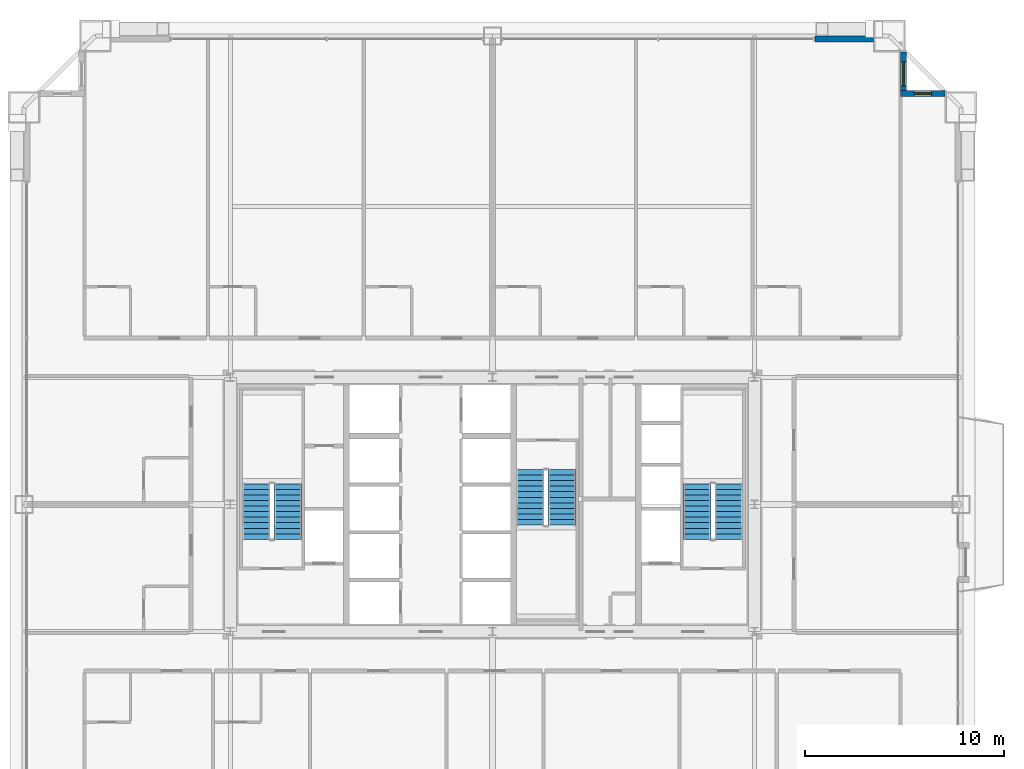
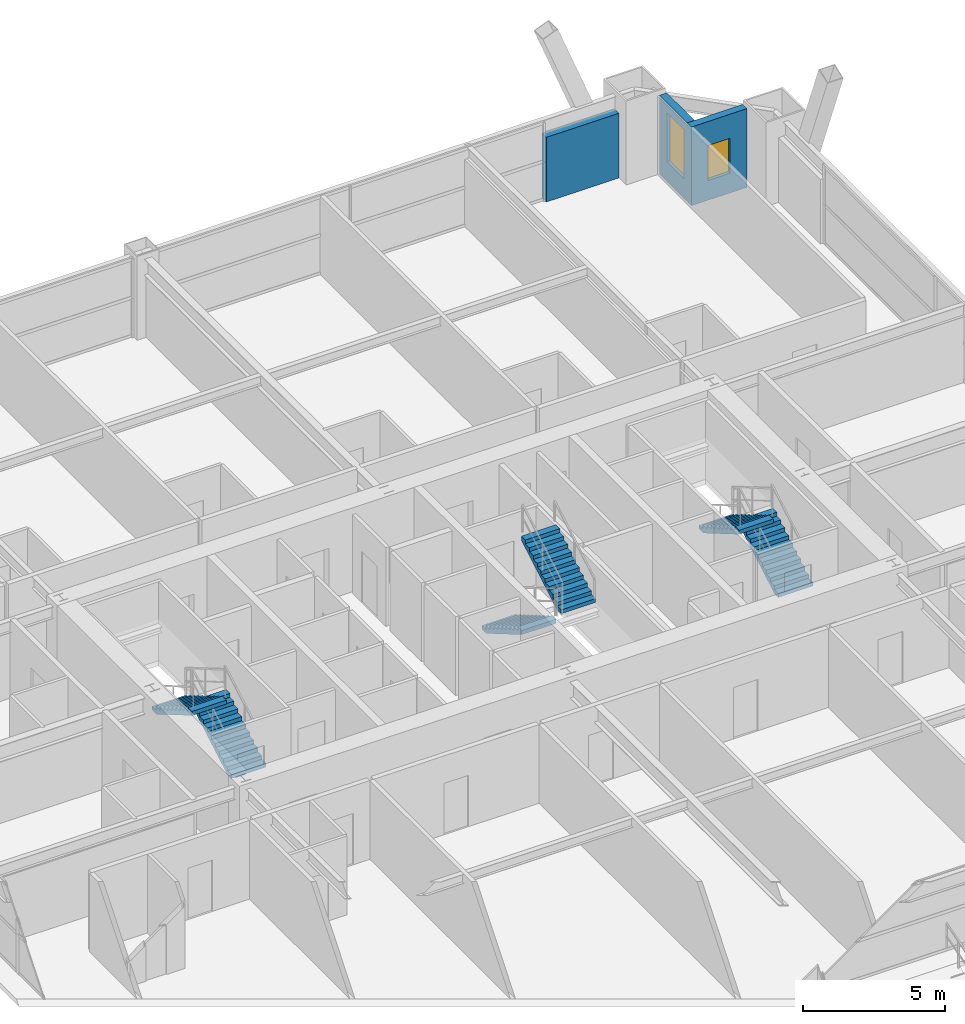
# One storey, part 42 of 43: 6 stair flights, 3 walls, 2 windows, 2 openings, 3 elements without a shape of their own.
"""IFC4 building model written with IfcOpenShell, lengths in metres."""

from ifc_helpers import new_model, si_unit, direction, frame, frame_2d, origin, place, context, subcontext, project, spatial, polyline, rectangle, outline, extrude, source, transform, mapped, material, layer, layer_set, type_object, element, fill, aggregate, save


model = new_model("IFC4")

# Units and contexts
model_context = context("Model", 3, precision=1e-05, world=origin(), true_north=direction((0.0, 1.0)))
body_context = subcontext(model_context, "Body", "Model", "MODEL_VIEW")
ifc_project = project(units=[si_unit("LENGTHUNIT", "METRE"), si_unit("AREAUNIT", "SQUARE_METRE"), si_unit("VOLUMEUNIT", "CUBIC_METRE"), si_unit("PLANEANGLEUNIT", "RADIAN"), si_unit("MASSUNIT", "GRAM", prefix="KILO"), si_unit("THERMODYNAMICTEMPERATUREUNIT", "KELVIN"), si_unit("POWERUNIT", "WATT")], contexts=[model_context])

# Site, building, storey
site_placement = place(None, origin())
site = spatial("IfcSite", under=ifc_project, at=site_placement, CompositionType="ELEMENT")
building_placement = place(site_placement, origin())
building = spatial("IfcBuilding", under=site, at=building_placement, Name="Yuzanri Waterfront Tower", CompositionType="ELEMENT")
storey_placement = place(building_placement, frame((0.0, 0.0, 159.60009765625)))
storey = spatial("IfcBuildingStorey", under=building, at=storey_placement, Name="L42", CompositionType="ELEMENT", Elevation=159.60009765625)

# Wall, opening, window
ifc_material_1 = material(Name="Honed Chongqing Dark Basalt Stone", Category="masonry")
ifc_layer = layer(ifc_material_1, 0.300048828125)
ifc_layer_set = layer_set([ifc_layer], Name="Honed Chongqing Dark Basalt Stone")
wall_type = type_object("IfcWallType", Name="Bronze Rainscreen Insulated Spandrel Portal Wall 300", PredefinedType="SOLIDWALL", material=ifc_layer_set)
wall_1_placement = place(storey_placement, frame((59.800048828125, 46.5, 0.0), z_axis=(0.0, 0.0, 1.0), x_axis=(-1.0, 0.0, 0.0)))
wall_1 = element("IfcWall", 1, at=wall_1_placement, inside=storey, type_object=wall_type, Name="L42 Notched Corner Masonry Wall NE-X", PredefinedType="SOLIDWALL", context=body_context, shape_type="SweptSolid", body=[
    extrude(rectangle(XDim=2.25, YDim=0.300048828125, at=frame_2d((1.125, 0.0))), origin(), (0.0, 0.0, 1.0), 3.3798828125),
])
opening_1_placement = place(wall_1_placement, frame((0.675048828125, 0.0, 0.85009765625)))
opening_1 = element("IfcOpeningElement", 2, at=opening_1_placement, cuts=wall_1, Name="Opening WN-05", PredefinedType="OPENING", context=body_context, shape_type="SweptSolid", body=[
    extrude(rectangle(XDim=0.89990234375, YDim=1.5, at=frame_2d((0.449951171875, 0.75))), frame((0.0, 0.1650390625, 0.0), z_axis=(0.0, -1.0, 0.0), x_axis=(1.0, 0.0, 0.0)), (0.0, 0.0, 1.0), 0.329833984375),
])
ifc_material_2 = material(Name="Double-Silver Low-E Insulated Glass", Category="glass")
window_type_1 = type_object("IfcWindowType", Name="Anodized Bronze Service and Stairwell Smoke-Vent Window 900x1500", PartitioningType="SINGLE_PANEL", PredefinedType="WINDOW", material=ifc_material_2)
shared_shape_1 = source(origin(), body_context, "Body", "SweptSolid", [
    extrude(rectangle(XDim=0.89990234375, YDim=1.5, at=frame_2d((0.449951171875, 0.75))), frame((0.0, 0.030029296875, 0.0), z_axis=(0.0, -1.0, 0.0), x_axis=(1.0, 0.0, 0.0)), (0.0, 0.0, 1.0), 0.06005859375),
])
window_1_placement = place(opening_1_placement, origin())
window_1 = element("IfcWindow", 3, at=window_1_placement, inside=storey, type_object=window_type_1, Name="L42 Notched Corner Window NE-X", OverallHeight=1.5, OverallWidth=0.89990234375, PartitioningType="SINGLE_PANEL", PredefinedType="WINDOW", context=body_context, shape_type="MappedRepresentation", body=[
    mapped(shared_shape_1, transform((0.0, 0.0, 0.0), scale=1.0)),
])
fill(opening_1, window_1)

wall_2_placement = place(storey_placement, frame((57.699951171875, 46.35009765625, 0.0), z_axis=(0.0, 0.0, 1.0), x_axis=(0.0, 1.0, 0.0)))
wall_2 = element("IfcWall", 4, at=wall_2_placement, inside=storey, type_object=wall_type, Name="L42 Notched Corner Masonry Wall NE-Y", PredefinedType="SOLIDWALL", context=body_context, shape_type="SweptSolid", body=[
    extrude(rectangle(XDim=2.25, YDim=0.300048828125, at=frame_2d((1.125, 0.0))), origin(), (0.0, 0.0, 1.0), 3.3798828125),
])
opening_2_placement = place(wall_2_placement, frame((0.52490234375, 0.0, 0.85009765625)))
opening_2 = element("IfcOpeningElement", 5, at=opening_2_placement, cuts=wall_2, Name="Opening WN-02", PredefinedType="OPENING", context=body_context, shape_type="SweptSolid", body=[
    extrude(rectangle(XDim=1.199951171875, YDim=2.10009765625, at=frame_2d((0.60009765625, 1.050048828125))), frame((0.0, 0.1650390625, 0.0), z_axis=(0.0, -1.0, 0.0), x_axis=(1.0, 0.0, 0.0)), (0.0, 0.0, 1.0), 0.329833984375),
])
ifc_material_3 = material(Name="Double-Silver Low-E Insulated Glass", Category="glass")
window_type_2 = type_object("IfcWindowType", Name="Anodized Bronze Notched Corner Deep-Set Slot Window 1200x2100", PartitioningType="SINGLE_PANEL", PredefinedType="WINDOW", material=ifc_material_3)
shared_shape_2 = source(origin(), body_context, "Body", "SweptSolid", [
    extrude(rectangle(XDim=1.199951171875, YDim=2.10009765625, at=frame_2d((0.60009765625, 1.050048828125))), frame((0.0, 0.030029296875, 0.0), z_axis=(0.0, -1.0, 0.0), x_axis=(1.0, 0.0, 0.0)), (0.0, 0.0, 1.0), 0.06005859375),
])
window_2_placement = place(opening_2_placement, origin())
window_2 = element("IfcWindow", 6, at=window_2_placement, inside=storey, type_object=window_type_2, Name="L42 Notched Corner Window NE-Y", OverallHeight=2.10009765625, OverallWidth=1.199951171875, PartitioningType="SINGLE_PANEL", PredefinedType="WINDOW", context=body_context, shape_type="MappedRepresentation", body=[
    mapped(shared_shape_2, transform((0.0, 0.0, 0.0), scale=1.0)),
])
fill(opening_2, window_2)

# Wall
shared_shape_3 = source(origin(), body_context, "Body", "SweptSolid", [
    extrude(rectangle(XDim=2.949951171875, YDim=0.300048828125, at=frame_2d((1.47509765625, 0.0))), origin(), (0.0, 0.0, 1.0), 2.77490234375),
])
wall_3_placement = place(storey_placement, frame((53.25, 49.25, 0.0), z_axis=(0.0, 0.0, 1.0), x_axis=(1.0, 0.0, 0.0)))
element("IfcWall", 7, at=wall_3_placement, inside=storey, type_object=wall_type, Name="L42 N Right Braced Masonry Shoulder", PredefinedType="SOLIDWALL", context=body_context, shape_type="MappedRepresentation", body=[
    mapped(shared_shape_3, transform((0.0, 0.0, 0.0), scale=1.0)),
])

# Stair, stair flights
ifc_material_4 = material(Name="Concrete C40", Category="concrete")
stair_type = type_object("IfcStairType", Name="Concrete C40 Core Dogleg Exit Stair", PredefinedType="HALF_TURN_STAIR", material=ifc_material_4)
stair_1_placement = place(storey_placement, origin())
stair_1 = element("IfcStair", 8, at=stair_1_placement, inside=storey, type_object=stair_type, Name="L42 Smoke-Proof Core Stair ST-01", PredefinedType="HALF_TURN_STAIR")
ifc_material_5 = material(Name="Concrete C40", Category="concrete")
stair_flight_type = type_object("IfcStairFlightType", Name="Concrete C40 Precast Stair Flight 1380", PredefinedType="STRAIGHT", material=ifc_material_5)
shared_shape_4 = source(origin(), body_context, "Body", "SweptSolid", [
    extrude(outline(polyline([(0.0, 0.0), (0.0, 0.16357421875), (0.280029296875, 0.16357421875), (0.280029296875, 0.327392578125), (0.56005859375, 0.327392578125), (0.56005859375, 0.490966796875), (0.840087890625, 0.490966796875), (0.840087890625, 0.654541015625), (1.1201171875, 0.654541015625), (1.1201171875, 0.818115234375), (1.39990234375, 0.818115234375), (1.39990234375, 0.98193359375), (1.679931640625, 0.98193359375), (1.679931640625, 1.1455078125), (1.9599609375, 1.1455078125), (1.9599609375, 1.30908203125), (2.239990234375, 1.30908203125), (2.239990234375, 1.47265625), (2.52001953125, 1.47265625), (2.52001953125, 1.636474609375), (2.800048828125, 1.636474609375), (2.800048828125, 1.800048828125), (2.800048828125, 1.462646484375), (0.297119140625, 0.0), (0.0, 0.0)])), frame((0.0, 0.699951171875, 0.0), z_axis=(0.0, -1.0, 0.0), x_axis=(1.0, 0.0, 0.0)), (0.0, 0.0, 1.0), 1.39990234375),
])
stair_flight_1_placement = place(storey_placement, frame((26.699951171875, 24.0400390625, 0.0), z_axis=(0.0, 0.0, 1.0), x_axis=(0.0, 1.0, 0.0)))
stair_flight_1 = element("IfcStairFlight", 9, at=stair_flight_1_placement, type_object=stair_flight_type, Name="ST-01 flight 1", NumberOfRisers=11, NumberOfTreads=10, PredefinedType="STRAIGHT", RiserHeight=0.163636364, TreadLength=0.28, context=body_context, shape_type="MappedRepresentation", body=[
    mapped(shared_shape_4, transform((0.0, 0.0, 0.0), scale=1.0)),
])
stair_flight_2_placement = place(storey_placement, frame((25.10009765625, 26.840087890625, 1.7998046875), z_axis=(0.0, 0.0, 1.0), x_axis=(0.0, -1.0, 0.0)))
stair_flight_2 = element("IfcStairFlight", 10, at=stair_flight_2_placement, type_object=stair_flight_type, Name="ST-01 flight 2", NumberOfRisers=11, NumberOfTreads=10, PredefinedType="STRAIGHT", RiserHeight=0.163636364, TreadLength=0.28, context=body_context, shape_type="MappedRepresentation", body=[
    mapped(shared_shape_4, transform((0.0, 0.0, 0.0), scale=1.0)),
])
aggregate(stair_1, [stair_flight_1, stair_flight_2])

stair_2_placement = place(storey_placement, origin())
stair_2 = element("IfcStair", 11, at=stair_2_placement, inside=storey, type_object=stair_type, Name="L42 Smoke-Proof Core Stair ST-02", PredefinedType="HALF_TURN_STAIR")
stair_flight_3_placement = place(storey_placement, frame((48.89990234375, 24.0400390625, 0.0), z_axis=(0.0, 0.0, 1.0), x_axis=(0.0, 1.0, 0.0)))
stair_flight_3 = element("IfcStairFlight", 12, at=stair_flight_3_placement, type_object=stair_flight_type, Name="ST-02 flight 1", NumberOfRisers=11, NumberOfTreads=10, PredefinedType="STRAIGHT", RiserHeight=0.163636364, TreadLength=0.28, context=body_context, shape_type="MappedRepresentation", body=[
    mapped(shared_shape_4, transform((0.0, 0.0, 0.0), scale=1.0)),
])
stair_flight_4_placement = place(storey_placement, frame((47.300048828125, 26.840087890625, 1.7998046875), z_axis=(0.0, 0.0, 1.0), x_axis=(0.0, -1.0, 0.0)))
stair_flight_4 = element("IfcStairFlight", 13, at=stair_flight_4_placement, type_object=stair_flight_type, Name="ST-02 flight 2", NumberOfRisers=11, NumberOfTreads=10, PredefinedType="STRAIGHT", RiserHeight=0.163636364, TreadLength=0.28, context=body_context, shape_type="MappedRepresentation", body=[
    mapped(shared_shape_4, transform((0.0, 0.0, 0.0), scale=1.0)),
])
aggregate(stair_2, [stair_flight_3, stair_flight_4])

stair_3_placement = place(storey_placement, origin())
stair_3 = element("IfcStair", 14, at=stair_3_placement, inside=storey, type_object=stair_type, Name="L42 Smoke-Proof Core Stair ST-03", PredefinedType="HALF_TURN_STAIR")
stair_flight_5_placement = place(storey_placement, frame((38.89990234375, 27.56005859375, 0.0), z_axis=(0.0, 0.0, 1.0), x_axis=(0.0, -1.0, 0.0)))
stair_flight_5 = element("IfcStairFlight", 15, at=stair_flight_5_placement, type_object=stair_flight_type, Name="ST-03 flight 1", NumberOfRisers=11, NumberOfTreads=10, PredefinedType="STRAIGHT", RiserHeight=0.163636364, TreadLength=0.28, context=body_context, shape_type="MappedRepresentation", body=[
    mapped(shared_shape_4, transform((0.0, 0.0, 0.0), scale=1.0)),
])
stair_flight_6_placement = place(storey_placement, frame((40.5, 24.760009765625, 1.7998046875), z_axis=(0.0, 0.0, 1.0), x_axis=(0.0, 1.0, 0.0)))
stair_flight_6 = element("IfcStairFlight", 16, at=stair_flight_6_placement, type_object=stair_flight_type, Name="ST-03 flight 2", NumberOfRisers=11, NumberOfTreads=10, PredefinedType="STRAIGHT", RiserHeight=0.163636364, TreadLength=0.28, context=body_context, shape_type="MappedRepresentation", body=[
    mapped(shared_shape_4, transform((0.0, 0.0, 0.0), scale=1.0)),
])
aggregate(stair_3, [stair_flight_5, stair_flight_6])

save(model, "model.ifc")
